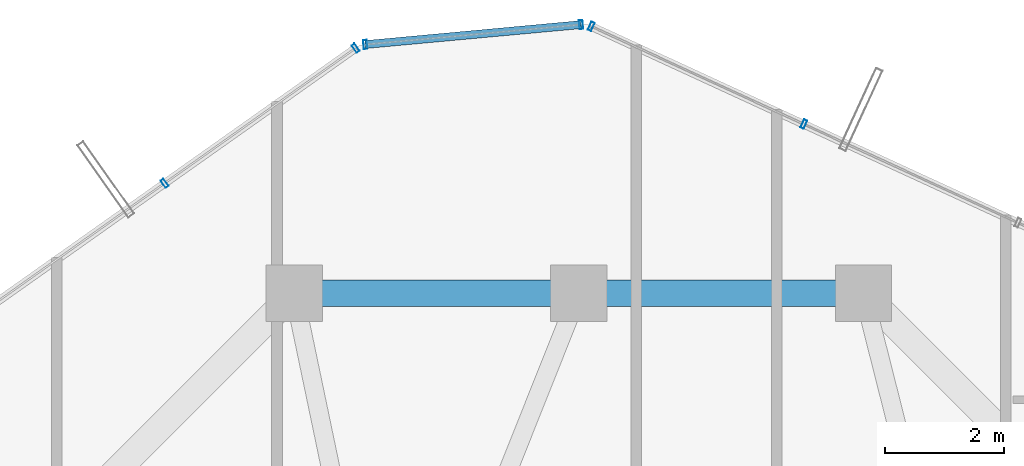
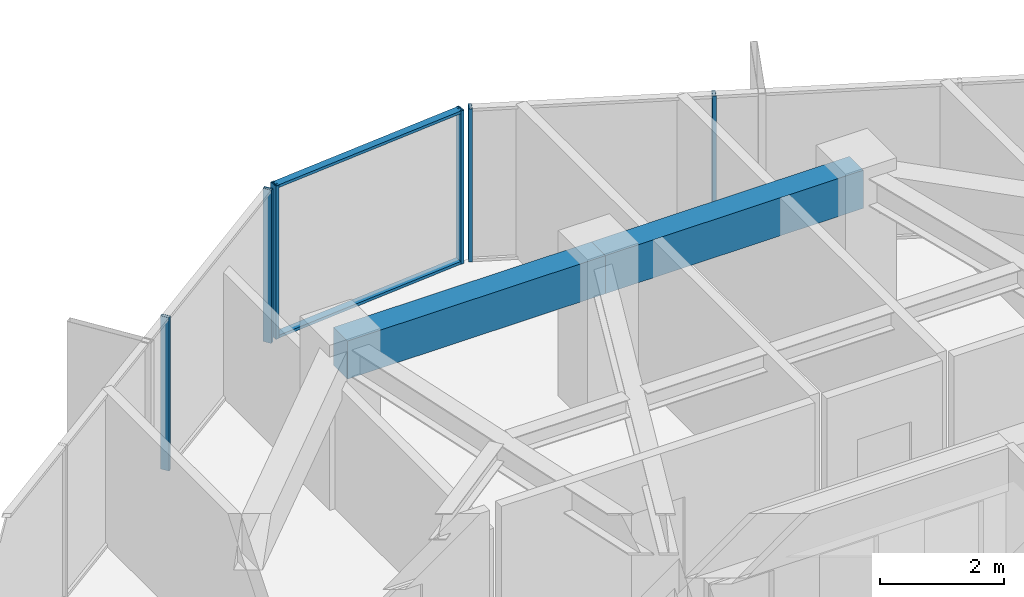
# One storey, part 23 of 32: 8 members, 2 beams, 3 elements without a shape of their own.
"""IFC4 building model written with IfcOpenShell, lengths in metres."""

import ifcopenshell
import ifcopenshell.guid

model = None  # the IFC model being written
_history = None  # IfcOwnerHistory: only IFC2X3 demands one
_inside = {}  # id of a spatial element -> (the spatial element, [elements in it])
_under = {}  # id of a project, library or spatial element -> (it, [spatial elements below it])
_declared = {}  # id of a project -> (the project, [libraries it declares])
_typed = {}  # id of a type object -> (the type object, [elements of that type])
_made_of = {}  # id of a material, layer set ... -> (it, [elements and type objects made of it])


def new_model(schema):
    """Start an empty IFC model of exactly this schema.

    Asked for "IFC4X3", IfcOpenShell would pick the latest addendum, in which some entities
    have other attributes; the version numbers below select the first issue.
    IFC2X3 requires an IfcOwnerHistory on every rooted entity: one is made here for all.
    """
    global model, _history
    if schema == "IFC4X3":
        model = ifcopenshell.file(schema_version=(4, 3, 0, 0))
    else:
        model = ifcopenshell.file(schema=schema)
    _inside.clear()
    _under.clear()
    _declared.clear()
    _typed.clear()
    _made_of.clear()
    _history = None
    if model.schema == "IFC2X3":
        org = make("IfcOrganization", Name="unknown")
        user = make(
            "IfcPersonAndOrganization",
            ThePerson=make("IfcPerson", FamilyName="unknown"),
            TheOrganization=org,
        )
        app = make(
            "IfcApplication",
            ApplicationDeveloper=org,
            Version="unknown",
            ApplicationFullName="unknown",
            ApplicationIdentifier="unknown",
        )
        _history = make(
            "IfcOwnerHistory",
            OwningUser=user,
            OwningApplication=app,
            ChangeAction="ADDED",
            CreationDate=0,
        )
    return model


def make(cls, **values):
    """One entity of the class cls with the attributes given. An attribute that is None is left unset."""
    return model.create_entity(
        cls, **{name: value for name, value in values.items() if value is not None}
    )


def rooted(cls, **values):
    """An entity with a GlobalId (a new one), such as an element, a storey or a relation."""
    return make(cls, GlobalId=ifcopenshell.guid.new(), OwnerHistory=_history, **values)


def si_unit(unit_type, name, prefix=None):
    """IfcSIUnit, for example si_unit("LENGTHUNIT", "METRE", prefix="MILLI")."""
    return make("IfcSIUnit", UnitType=unit_type, Prefix=prefix, Name=name)


def assignment(units):
    """IfcUnitAssignment: the units of a project."""
    return None if units is None else make("IfcUnitAssignment", Units=units)


def point(xyz):
    """IfcCartesianPoint."""
    return None if xyz is None else make("IfcCartesianPoint", Coordinates=xyz)


def direction(xyz):
    """IfcDirection."""
    return None if xyz is None else make("IfcDirection", DirectionRatios=xyz)


def frame(location, z_axis=None, x_axis=None):
    """IfcAxis2Placement3D, a coordinate frame: its origin and axes. An axis left out is left unset."""
    return make(
        "IfcAxis2Placement3D",
        Location=point(location),
        Axis=direction(z_axis),
        RefDirection=direction(x_axis),
    )


def frame_2d(location, x_axis=None):
    """IfcAxis2Placement2D, a coordinate frame in the plane: its origin and x axis."""
    return make(
        "IfcAxis2Placement2D", Location=point(location), RefDirection=direction(x_axis)
    )


def origin():
    """The frame at (0, 0, 0) with its axes left unset."""
    return frame((0.0, 0.0, 0.0))


def origin_2d():
    """The frame at (0, 0) in the plane with its x axis left unset."""
    return frame_2d((0.0, 0.0))


def place(relative_to, where):
    """IfcLocalPlacement: puts the frame where relative to a parent placement (None: the world)."""
    return make(
        "IfcLocalPlacement", PlacementRelTo=relative_to, RelativePlacement=where
    )


def context(
    kind, dimensions, precision=None, world=None, true_north=None, identifier=None
):
    """IfcGeometricRepresentationContext, for example the 3D "Model" context."""
    return make(
        "IfcGeometricRepresentationContext",
        ContextIdentifier=identifier,
        ContextType=kind,
        CoordinateSpaceDimension=dimensions,
        Precision=precision,
        WorldCoordinateSystem=world,
        TrueNorth=true_north,
    )


def subcontext(parent, identifier, kind, view, scale=None):
    """IfcGeometricRepresentationSubContext, for example "Body" below "Model"."""
    return make(
        "IfcGeometricRepresentationSubContext",
        ContextIdentifier=identifier,
        ContextType=kind,
        ParentContext=parent,
        TargetScale=scale,
        TargetView=view,
    )


def project(units=None, contexts=None):
    """IfcProject with its units and contexts."""
    return rooted(
        "IfcProject",
        Name="project",
        RepresentationContexts=contexts,
        UnitsInContext=assignment(units),
    )


def spatial(cls, under=None, at=None, **own):
    """A site, building, storey or space (cls), placed at a placement, below another one or the project."""
    s = rooted(cls, ObjectPlacement=at, **own)
    if under is not None:
        _under.setdefault(under.id(), (under, []))[1].append(s)
    return s


def profile(cls, at=None, kind="AREA", **sizes):
    """A parametric profile (cls). Its sizes go by their IFC names, for example OverallWidth=200.0."""
    return make(cls, ProfileType=kind, Position=at, **sizes)


def rectangle(**sizes):
    """IfcRectangleProfileDef."""
    return profile("IfcRectangleProfileDef", **sizes)


def hollow_rectangle(**sizes):
    """IfcRectangleHollowProfileDef."""
    return profile("IfcRectangleHollowProfileDef", **sizes)


def extrude(swept, where, along, depth):
    """IfcExtrudedAreaSolid: the profile swept, set in the frame where, extruded along a direction by depth."""
    return make(
        "IfcExtrudedAreaSolid",
        SweptArea=swept,
        Position=where,
        ExtrudedDirection=direction(along),
        Depth=depth,
    )


def shape(context_of_items, identifier, shape_type, items):
    """IfcShapeRepresentation: the items that make up one representation, for example the "Body"."""
    return make(
        "IfcShapeRepresentation",
        ContextOfItems=context_of_items,
        RepresentationIdentifier=identifier,
        RepresentationType=shape_type,
        Items=items,
    )


def source(mapping_origin, context_of_items, identifier, shape_type, items):
    """IfcRepresentationMap: a shape defined once, which mapped items show again and again."""
    return make(
        "IfcRepresentationMap",
        MappingOrigin=mapping_origin,
        MappedRepresentation=shape(context_of_items, identifier, shape_type, items),
    )


def transform(
    local_origin,
    x_axis=None,
    y_axis=None,
    z_axis=None,
    scale=None,
    scale2=None,
    scale3=None,
    uniform=True,
):
    """IfcCartesianTransformationOperator3D, or its non-uniform kind. x_axis, y_axis, z_axis: its Axis1, 2, 3."""
    if uniform:
        return make(
            "IfcCartesianTransformationOperator3D",
            Axis1=direction(x_axis),
            Axis2=direction(y_axis),
            LocalOrigin=point(local_origin),
            Scale=scale,
            Axis3=direction(z_axis),
        )
    return make(
        "IfcCartesianTransformationOperator3DnonUniform",
        Axis1=direction(x_axis),
        Axis2=direction(y_axis),
        LocalOrigin=point(local_origin),
        Scale=scale,
        Axis3=direction(z_axis),
        Scale2=scale2,
        Scale3=scale3,
    )


def mapped(mapping_source, mapping_target):
    """IfcMappedItem: shows the shape of a source again, moved by a transform."""
    return make(
        "IfcMappedItem", MappingSource=mapping_source, MappingTarget=mapping_target
    )


def material(Name=None, Category=None):
    """IfcMaterial."""
    return make("IfcMaterial", Name=Name, Category=Category)


def layer(
    of_material, thickness, ventilated=None, Name=None, Category=None, Priority=None
):
    """IfcMaterialLayer: one layer of a wall or slab, of a material (None: an air gap)."""
    return make(
        "IfcMaterialLayer",
        Material=of_material,
        LayerThickness=thickness,
        IsVentilated=ventilated,
        Name=Name,
        Category=Category,
        Priority=Priority,
    )


def layer_set(layers, Name=None):
    """IfcMaterialLayerSet."""
    return make("IfcMaterialLayerSet", MaterialLayers=layers, LayerSetName=Name)


def material_profile(
    of_material, cross_section, Name=None, Category=None, Priority=None
):
    """IfcMaterialProfile: a cross section and its material."""
    return make(
        "IfcMaterialProfile",
        Name=Name,
        Material=of_material,
        Profile=cross_section,
        Priority=Priority,
        Category=Category,
    )


def profile_set(profiles, Name=None, composite=None):
    """IfcMaterialProfileSet."""
    return make(
        "IfcMaterialProfileSet",
        Name=Name,
        MaterialProfiles=profiles,
        CompositeProfile=composite,
    )


def made_of(thing, what):
    """Note that an element or type object is made of a material, layer set ...; save() writes the relation."""
    if what is not None:
        _made_of.setdefault(what.id(), (what, []))[1].append(thing)
    return thing


def type_object(cls, material=None, **own):
    """A type object (cls), such as IfcWallType, which elements share."""
    return made_of(rooted(cls, **own), material)


def element(
    cls,
    number,
    at=None,
    inside=None,
    cuts=None,
    type_object=None,
    material=None,
    context=None,
    identifier="Body",
    shape_type=None,
    held_by="IfcProductDefinitionShape",
    body=None,
    shapes=None,
    **own,
):
    """One element of the class cls, such as IfcWall. Its Tag is "e" and its number.

    at: its placement. inside: the storey or other place that contains it. cuts: it is an
    opening in that element (IfcRelVoidsElement). A single representation is given by context,
    identifier, shape_type and body (its items); several are given by shapes. held_by: the class
    of the entity that holds the representations. save() writes the other relations.
    """
    e = rooted(cls, Tag="e%d" % number, ObjectPlacement=at, **own)
    if body is not None:
        shapes = [shape(context, identifier, shape_type, body)]
    if shapes is not None:
        e.Representation = make(held_by, Representations=shapes)
    if inside is not None:
        _inside.setdefault(inside.id(), (inside, []))[1].append(e)
    if cuts is not None:
        rooted(
            "IfcRelVoidsElement", RelatingBuildingElement=cuts, RelatedOpeningElement=e
        )
    if type_object is not None:
        _typed.setdefault(type_object.id(), (type_object, []))[1].append(e)
    return made_of(e, material)


def aggregate(whole, parts):
    """IfcRelAggregates: a whole, such as a stair, and the parts it consists of."""
    return rooted("IfcRelAggregates", RelatingObject=whole, RelatedObjects=parts)


def save(model, path):
    """Write the relations noted so far, then the file.

    IfcRelAggregates (storeys below a building ...), IfcRelContainedInSpatialStructure (elements
    in a storey), IfcRelDefinesByType, IfcRelAssociatesMaterial and IfcRelDeclares: one each for
    every whole, place, type object, material and project.
    """
    for whole, parts in _under.values():
        aggregate(whole, parts)
    for where, things in _inside.values():
        rooted(
            "IfcRelContainedInSpatialStructure",
            RelatedElements=things,
            RelatingStructure=where,
        )
    for kind, things in _typed.values():
        rooted("IfcRelDefinesByType", RelatedObjects=things, RelatingType=kind)
    for what, things in _made_of.values():
        rooted("IfcRelAssociatesMaterial", RelatedObjects=things, RelatingMaterial=what)
    for by, libraries in _declared.values():
        rooted("IfcRelDeclares", RelatingContext=by, RelatedDefinitions=libraries)
    model.write(path)


model = new_model("IFC4")

# Units and contexts
model_context = context("Model", 3, precision=1e-05, world=origin(), true_north=direction((0.0, 1.0)))
body_context = subcontext(model_context, "Body", "Model", "MODEL_VIEW")
ifc_project = project(units=[si_unit("LENGTHUNIT", "METRE"), si_unit("AREAUNIT", "SQUARE_METRE"), si_unit("VOLUMEUNIT", "CUBIC_METRE"), si_unit("PLANEANGLEUNIT", "RADIAN"), si_unit("MASSUNIT", "GRAM", prefix="KILO")], contexts=[model_context])

# Site, building, storey
site_placement = place(None, origin())
site = spatial("IfcSite", under=ifc_project, at=site_placement, CompositionType="ELEMENT")
building_placement = place(site_placement, origin())
building = spatial("IfcBuilding", under=site, at=building_placement, Name="Veraguas Prism Commons", CompositionType="ELEMENT")
storey_placement = place(building_placement, frame((0.0, 0.0, 188.60009765625)))
storey = spatial("IfcBuildingStorey", under=building, at=storey_placement, Name="L53", CompositionType="ELEMENT", Elevation=188.60009765625)

# Beams
ifc_material_1 = material(Name="Concrete C50/60", Category="concrete")
ifc_material_profile_1 = material_profile(ifc_material_1, rectangle(XDim=0.449951171875, YDim=0.75, at=origin_2d()), Name="RC450X750")
ifc_profile_set_1 = profile_set([ifc_material_profile_1], Name="Concrete C50/60")
beam_type = type_object("IfcBeamType", Name="Perimeter Spandrel Upper RC 450x750", PredefinedType="SPANDREL", material=ifc_profile_set_1)
for number, where, z_axis, x_axis, name in (
    (1, (28.800048828125, 38.89990234375, 2.639892578125), (-1.0, 0.0, 0.0), (0.0, -1.0, 0.0), "Perimeter Spandrel Beam L53-SP04"),
    (2, (24.0, 38.89990234375, 2.639892578125), (-1.0, 0.0, 0.0), (0.0, -1.0, 0.0), "Perimeter Spandrel Beam L53-SP05"),
):
    element("IfcBeam", number, at=place(storey_placement, frame(where, z_axis=z_axis, x_axis=x_axis)), inside=storey, type_object=beam_type, Name=name, PredefinedType="SPANDREL", context=body_context, shape_type="SweptSolid", body=[
        extrude(rectangle(XDim=0.449951171875, YDim=0.75, at=origin_2d()), origin(), (0.0, 0.0, 1.0), 4.800048828125),
    ])

# Curtain wall, members
ifc_material_2 = material(Name="Anodised aluminium EN AW-6063 T6", Category="aluminium")
ifc_layer = layer(ifc_material_2, 0.14990234375, Name="Unitised Flush Curtain Wall Zone 3", Category="aluminium")
ifc_layer_set = layer_set([ifc_layer], Name="Anodised aluminium EN AW-6063 T6")
curtain_wall_type = type_object("IfcCurtainWallType", Name="Unitised Flush Curtain Wall Zone 3", PredefinedType="NOTDEFINED", material=ifc_layer_set)
curtain_wall_1_placement = place(storey_placement, origin())
curtain_wall_1 = element("IfcCurtainWall", 3, at=curtain_wall_1_placement, inside=storey, type_object=curtain_wall_type, Name="Tower Facade Curtain Wall L53-F1", PredefinedType="NOTDEFINED")
ifc_material_profile_2 = material_profile(ifc_material_2, hollow_rectangle(XDim=0.06005859375, YDim=0.14990234375, WallThickness=0.0029296875, at=origin_2d()), Name="AL60X150X3")
ifc_profile_set_2 = profile_set([ifc_material_profile_2], Name="Anodised aluminium EN AW-6063 T6")
member_type_1 = type_object("IfcMemberType", Name="Curtain Wall Mullion Upper AL 60x150x3", PredefinedType="MULLION", material=ifc_profile_set_2)
shared_shape_1 = source(origin(), body_context, "Body", "SweptSolid", [
    extrude(hollow_rectangle(XDim=0.06005859375, YDim=0.14990234375, WallThickness=0.0029296875, at=origin_2d()), origin(), (0.0, 0.0, 1.0), 3.014892578125),
])
member_1_placement = place(storey_placement, frame((27.794921875, 41.749755859375, 0.0), z_axis=(0.0, 0.0, 1.0), x_axis=(-0.908361529184, 0.418185762907, 0.0)))
member_1 = element("IfcMember", 4, at=member_1_placement, type_object=member_type_1, Name="CW-Z3 Mullion 4", PredefinedType="MULLION", context=body_context, shape_type="MappedRepresentation", body=[
    mapped(shared_shape_1, transform((0.0, 0.0, 0.0), scale=1.0)),
])
member_2_placement = place(storey_placement, frame((24.210693359375, 43.39990234375, 0.0), z_axis=(0.0, 0.0, 1.0), x_axis=(-0.908361529184, 0.418185762907, 0.0)))
member_2 = element("IfcMember", 5, at=member_2_placement, type_object=member_type_1, Name="CW-Z3 Mullion 5", PredefinedType="MULLION", context=body_context, shape_type="MappedRepresentation", body=[
    mapped(shared_shape_1, transform((0.0, 0.0, 0.0), scale=1.0)),
])
aggregate(curtain_wall_1, [member_1, member_2])

curtain_wall_2_placement = place(storey_placement, origin())
curtain_wall_2 = element("IfcCurtainWall", 6, at=curtain_wall_2_placement, inside=storey, type_object=curtain_wall_type, Name="Tower Facade Curtain Wall L53-F2", PredefinedType="NOTDEFINED")
member_3_placement = place(storey_placement, frame((20.2373046875, 43.032470703125, 0.0), z_axis=(0.0, 0.0, 1.0), x_axis=(-0.816341266821, -0.577569853857, 0.0)))
member_3 = element("IfcMember", 7, at=member_3_placement, type_object=member_type_1, Name="CW-Z3 Mullion 1", PredefinedType="MULLION", context=body_context, shape_type="MappedRepresentation", body=[
    mapped(shared_shape_1, transform((0.0, 0.0, 0.0), scale=1.0)),
])
member_4_placement = place(storey_placement, frame((17.016357421875, 40.753662109375, 0.0), z_axis=(0.0, 0.0, 1.0), x_axis=(-0.816341266821, -0.577569853857, 0.0)))
member_4 = element("IfcMember", 8, at=member_4_placement, type_object=member_type_1, Name="CW-Z3 Mullion 2", PredefinedType="MULLION", context=body_context, shape_type="MappedRepresentation", body=[
    mapped(shared_shape_1, transform((0.0, 0.0, 0.0), scale=1.0)),
])
aggregate(curtain_wall_2, [member_3, member_4])

curtain_wall_3_placement = place(storey_placement, origin())
curtain_wall_3 = element("IfcCurtainWall", 9, at=curtain_wall_3_placement, inside=storey, type_object=curtain_wall_type, Name="Chamfer Curtain Wall L53-C2", PredefinedType="NOTDEFINED")
member_5_placement = place(storey_placement, frame((24.039306640625, 43.42919921875, 0.0), z_axis=(0.0, 0.0, 1.0), x_axis=(-0.995754792746, -0.092045601321, 0.0)))
member_5 = element("IfcMember", 10, at=member_5_placement, type_object=member_type_1, Name="CW-Z3 Mullion 1", PredefinedType="MULLION", context=body_context, shape_type="MappedRepresentation", body=[
    mapped(shared_shape_1, transform((0.0, 0.0, 0.0), scale=1.0)),
])
member_6_placement = place(storey_placement, frame((20.400390625, 43.0927734375, 0.0), z_axis=(0.0, 0.0, 1.0), x_axis=(-0.995754792746, -0.092045601321, 0.0)))
member_6 = element("IfcMember", 11, at=member_6_placement, type_object=member_type_1, Name="CW-Z3 Mullion 2", PredefinedType="MULLION", context=body_context, shape_type="MappedRepresentation", body=[
    mapped(shared_shape_1, transform((0.0, 0.0, 0.0), scale=1.0)),
])
ifc_material_profile_3 = material_profile(ifc_material_2, hollow_rectangle(XDim=0.054931640625, YDim=0.135009765625, WallThickness=0.0029296875, at=origin_2d()), Name="AL55X135X3")
ifc_profile_set_3 = profile_set([ifc_material_profile_3], Name="Anodised aluminium EN AW-6063 T6")
member_type_2 = type_object("IfcMemberType", Name="Curtain Wall Transom Standard AL 55x135x3", PredefinedType="USERDEFINED", material=ifc_profile_set_3)
shared_shape_2 = source(origin(), body_context, "Body", "SweptSolid", [
    extrude(hollow_rectangle(XDim=0.054931640625, YDim=0.135009765625, WallThickness=0.0029296875, at=origin_2d()), origin(), (0.0, 0.0, 1.0), 3.654541015625),
])
member_7_placement = place(storey_placement, frame((24.039306640625, 43.42919921875, 0.02734375), z_axis=(-0.995753498741, -0.092059598877, 0.0), x_axis=(0.0, 0.0, 1.0)))
member_7 = element("IfcMember", 12, at=member_7_placement, type_object=member_type_2, Name="CW-Z3 Transom 1", ObjectType="TRANSOM", PredefinedType="USERDEFINED", context=body_context, shape_type="MappedRepresentation", body=[
    mapped(shared_shape_2, transform((0.0, 0.0, 0.0), scale=1.0)),
])
member_8_placement = place(storey_placement, frame((24.039306640625, 43.42919921875, 2.9873046875), z_axis=(-0.995753498741, -0.092059598877, 0.0), x_axis=(0.0, 0.0, 1.0)))
member_8 = element("IfcMember", 13, at=member_8_placement, type_object=member_type_2, Name="CW-Z3 Transom 2", ObjectType="TRANSOM", PredefinedType="USERDEFINED", context=body_context, shape_type="MappedRepresentation", body=[
    mapped(shared_shape_2, transform((0.0, 0.0, 0.0), scale=1.0)),
])
aggregate(curtain_wall_3, [member_5, member_6, member_7, member_8])

save(model, "model.ifc")
